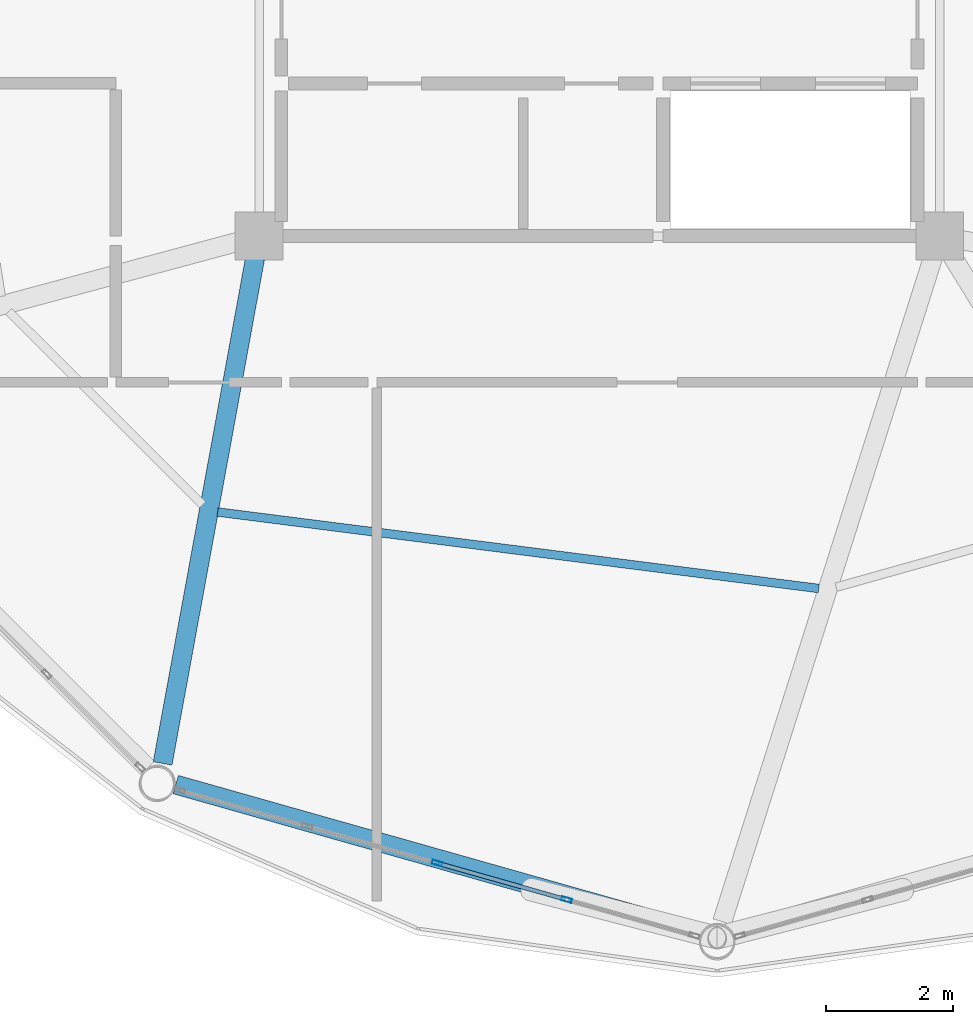
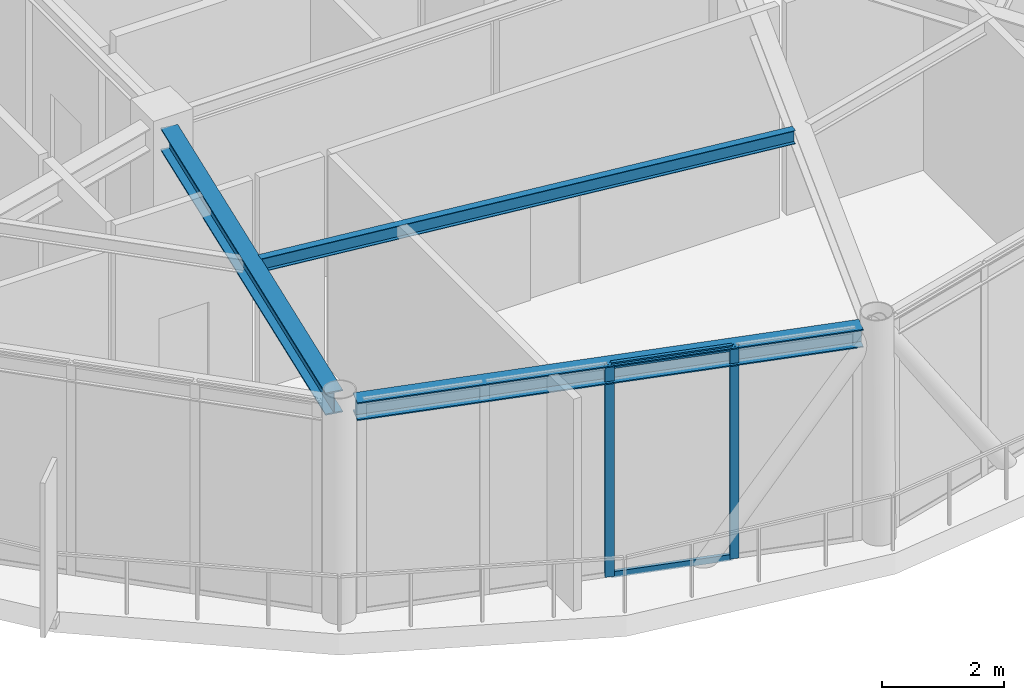
# One storey, part 3 of 26: 4 members, 3 beams, 1 element without a shape of its own.
"""IFC4 building model written with IfcOpenShell, lengths in metres."""

from ifc_helpers import new_model, si_unit, direction, frame, origin, origin_2d, place, context, subcontext, project, spatial, hollow_rectangle, i_section, extrude, material, layer, layer_set, material_profile, profile_set, type_object, element, aggregate, save


model = new_model("IFC4")

# Units and contexts
model_context = context("Model", 3, precision=1e-05, world=origin(), true_north=direction((0.0, 1.0)))
body_context = subcontext(model_context, "Body", "Model", "MODEL_VIEW")
ifc_project = project(units=[si_unit("LENGTHUNIT", "METRE"), si_unit("AREAUNIT", "SQUARE_METRE"), si_unit("VOLUMEUNIT", "CUBIC_METRE"), si_unit("PLANEANGLEUNIT", "RADIAN"), si_unit("MASSUNIT", "GRAM", prefix="KILO")], contexts=[model_context])

# Site, building, storey
site_placement = place(None, origin())
site = spatial("IfcSite", under=ifc_project, at=site_placement, CompositionType="ELEMENT")
building_placement = place(site_placement, origin())
building = spatial("IfcBuilding", under=site, at=building_placement, Name="Varnakorn Sky Granary", CompositionType="ELEMENT")
storey_placement = place(building_placement, frame((0.0, 0.0, 289.5)))
storey = spatial("IfcBuildingStorey", under=building, at=storey_placement, Name="L74", CompositionType="ELEMENT", Elevation=289.5)

# Beams
ifc_material_1 = material(Name="Steel S355JR", Category="steel")
ifc_material_profile_1 = material_profile(ifc_material_1, i_section(OverallWidth=0.300048828125, OverallDepth=0.449951171875, WebThickness=0.013916015625, FlangeThickness=0.02587890625, at=origin_2d()), Name="HE 450 B")
ifc_profile_set_1 = profile_set([ifc_material_profile_1], Name="Steel S355JR")
beam_type_1 = type_object("IfcBeamType", Name="BM-RAD-Z5", PredefinedType="BEAM", material=ifc_profile_set_1)
beam_1_placement = place(storey_placement, frame((-2.413818359375, -6.94921875, 4.034912109375), z_axis=(-0.180008438816, -0.983665065942, 0.0), x_axis=(0.983665065942, -0.180008438816, 0.0)))
element("IfcBeam", 1, at=beam_1_placement, inside=storey, type_object=beam_type_1, Name="Radial Floor Girder RG09 L74", PredefinedType="BEAM", context=body_context, shape_type="SweptSolid", body=[
    extrude(i_section(OverallWidth=0.300048828125, OverallDepth=0.449951171875, WebThickness=0.013916015625, FlangeThickness=0.02587890625, at=origin_2d()), origin(), (0.0, 0.0, 1.0), 8.072509765625),
])
ifc_material_profile_2 = material_profile(ifc_material_1, i_section(OverallWidth=0.135009765625, OverallDepth=0.27001953125, WebThickness=0.006591796875, FlangeThickness=0.01025390625, at=origin_2d()), Name="IPE 270")
ifc_profile_set_2 = profile_set([ifc_material_profile_2], Name="Steel S355JR")
beam_type_2 = type_object("IfcBeamType", Name="BM-SEC-Z5", PredefinedType="BEAM", material=ifc_profile_set_2)
beam_2_placement = place(storey_placement, frame((-3.00146484375, -10.937255859375, 4.125), z_axis=(0.991997386421, -0.126258406984, 0.0), x_axis=(0.126258406984, 0.991997386421, 0.0)))
element("IfcBeam", 2, at=beam_2_placement, inside=storey, type_object=beam_type_2, Name="Secondary Floor Chord Beam MSB09 L74", PredefinedType="BEAM", context=body_context, shape_type="SweptSolid", body=[
    extrude(i_section(OverallWidth=0.135009765625, OverallDepth=0.27001953125, WebThickness=0.006591796875, FlangeThickness=0.01025390625, at=origin_2d()), origin(), (0.0, 0.0, 1.0), 9.525146484375),
])
ifc_material_profile_3 = material_profile(ifc_material_1, i_section(OverallWidth=0.300048828125, OverallDepth=0.360107421875, WebThickness=0.012451171875, FlangeThickness=0.0224609375, at=origin_2d()), Name="HE 360 B")
ifc_profile_set_3 = profile_set([ifc_material_profile_3], Name="Steel S355JR")
beam_type_3 = type_object("IfcBeamType", Name="BM-SPD-Z5", PredefinedType="SPANDREL", material=ifc_profile_set_3)
beam_3_placement = place(storey_placement, frame((-3.659912109375, -15.22216796875, 4.080078125), z_axis=(0.962258225045, -0.272138031765, 0.0), x_axis=(0.272138031765, 0.962258225045, 0.0)))
element("IfcBeam", 3, at=beam_3_placement, inside=storey, type_object=beam_type_3, Name="Perimeter Spandrel Ring Beam RB09 L74", PredefinedType="SPANDREL", context=body_context, shape_type="SweptSolid", body=[
    extrude(i_section(OverallWidth=0.300048828125, OverallDepth=0.360107421875, WebThickness=0.012451171875, FlangeThickness=0.0224609375, at=origin_2d()), origin(), (0.0, 0.0, 1.0), 8.5791015625),
])

# Curtain wall, members
ifc_material_2 = material(Name="Anodised Bronze Aluminium Alloy 6063-T6", Category="aluminium")
ifc_layer = layer(ifc_material_2, 0.159912109375, Name="Anodised Bronze Aluminium Alloy 6063-T6")
ifc_layer_set = layer_set([ifc_layer], Name="Anodised Bronze Aluminium Alloy 6063-T6")
curtain_wall_type = type_object("IfcCurtainWallType", Name="CW-OFF-1", PredefinedType="USERDEFINED", material=ifc_layer_set)
curtain_wall_placement = place(storey_placement, origin())
curtain_wall = element("IfcCurtainWall", 4, at=curtain_wall_placement, inside=storey, type_object=curtain_wall_type, Name="Unitised Curtain Wall CW6 CW-L74-B09", ObjectType="CURTAIN WALL", PredefinedType="USERDEFINED")
ifc_material_profile_4 = material_profile(ifc_material_2, hollow_rectangle(XDim=0.06494140625, YDim=0.159912109375, WallThickness=0.00341796875, at=origin_2d()), Name="ALU MULL 65x160")
ifc_profile_set_4 = profile_set([ifc_material_profile_4], Name="Anodised Bronze Aluminium Alloy 6063-T6")
member_type_1 = type_object("IfcMemberType", Name="CW-OFF-1-MULL", PredefinedType="MULLION", material=ifc_profile_set_4)
member_1_placement = place(storey_placement, frame((2.48486328125, -17.03173828125, 0.0), z_axis=(0.0, 0.0, 1.0), x_axis=(-0.271878363446, -0.962331624488, 0.0)))
member_1 = element("IfcMember", 5, at=member_1_placement, type_object=member_type_1, Name="CW6 mullion 2", PredefinedType="MULLION", context=body_context, shape_type="SweptSolid", body=[
    extrude(hollow_rectangle(XDim=0.06494140625, YDim=0.159912109375, WallThickness=0.00341796875, at=origin_2d()), origin(), (0.0, 0.0, 1.0), 4.260009765625),
])
member_2_placement = place(storey_placement, frame((0.4462890625, -16.455810546875, 0.0), z_axis=(0.0, 0.0, 1.0), x_axis=(-0.271878363446, -0.962331624488, 0.0)))
member_2 = element("IfcMember", 6, at=member_2_placement, type_object=member_type_1, Name="CW6 mullion 3", PredefinedType="MULLION", context=body_context, shape_type="SweptSolid", body=[
    extrude(hollow_rectangle(XDim=0.06494140625, YDim=0.159912109375, WallThickness=0.00341796875, at=origin_2d()), origin(), (0.0, 0.0, 1.0), 4.260009765625),
])
ifc_material_profile_5 = material_profile(ifc_material_2, hollow_rectangle(XDim=0.06494140625, YDim=0.1201171875, WallThickness=0.00341796875, at=origin_2d()), Name="ALU TRAN 65x120")
ifc_profile_set_5 = profile_set([ifc_material_profile_5], Name="Anodised Bronze Aluminium Alloy 6063-T6")
member_type_2 = type_object("IfcMemberType", Name="CW-OFF-1-TRAN", PredefinedType="USERDEFINED", material=ifc_profile_set_5)
member_3_placement = place(storey_placement, frame((2.45361328125, -17.02294921875, 0.032470703125), z_axis=(-0.962322930265, 0.271909135349, 0.0), x_axis=(-0.271909135349, -0.962322930265, 0.0)))
member_3 = element("IfcMember", 7, at=member_3_placement, type_object=member_type_2, Name="CW6 transom 2.1", ObjectType="TRANSOM", PredefinedType="USERDEFINED", context=body_context, shape_type="SweptSolid", body=[
    extrude(hollow_rectangle(XDim=0.06494140625, YDim=0.1201171875, WallThickness=0.00341796875, at=origin_2d()), origin(), (0.0, 0.0, 1.0), 2.053466796875),
])
member_4_placement = place(storey_placement, frame((2.45361328125, -17.02294921875, 4.2275390625), z_axis=(-0.962322930265, 0.271909135349, 0.0), x_axis=(-0.271909135349, -0.962322930265, 0.0)))
member_4 = element("IfcMember", 8, at=member_4_placement, type_object=member_type_2, Name="CW6 transom 2.2", ObjectType="TRANSOM", PredefinedType="USERDEFINED", context=body_context, shape_type="SweptSolid", body=[
    extrude(hollow_rectangle(XDim=0.06494140625, YDim=0.1201171875, WallThickness=0.00341796875, at=origin_2d()), origin(), (0.0, 0.0, 1.0), 2.053466796875),
])
aggregate(curtain_wall, [member_1, member_2, member_3, member_4])

save(model, "model.ifc")
